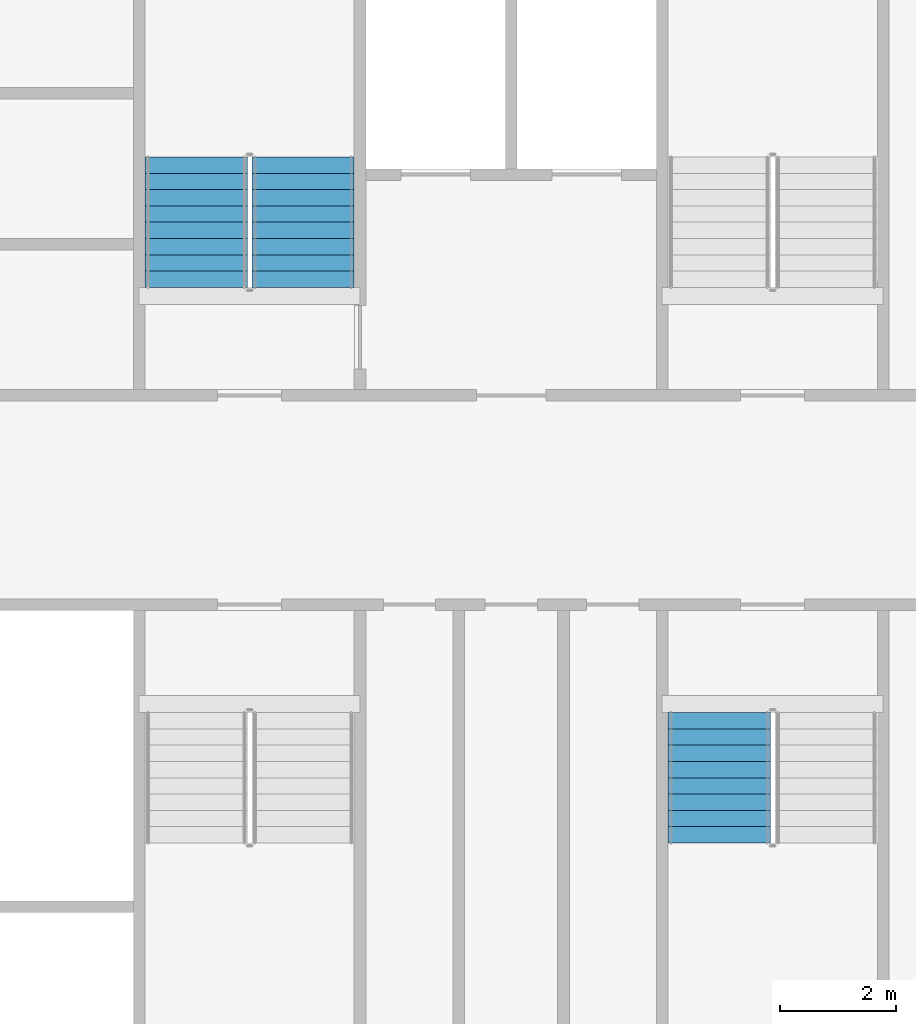
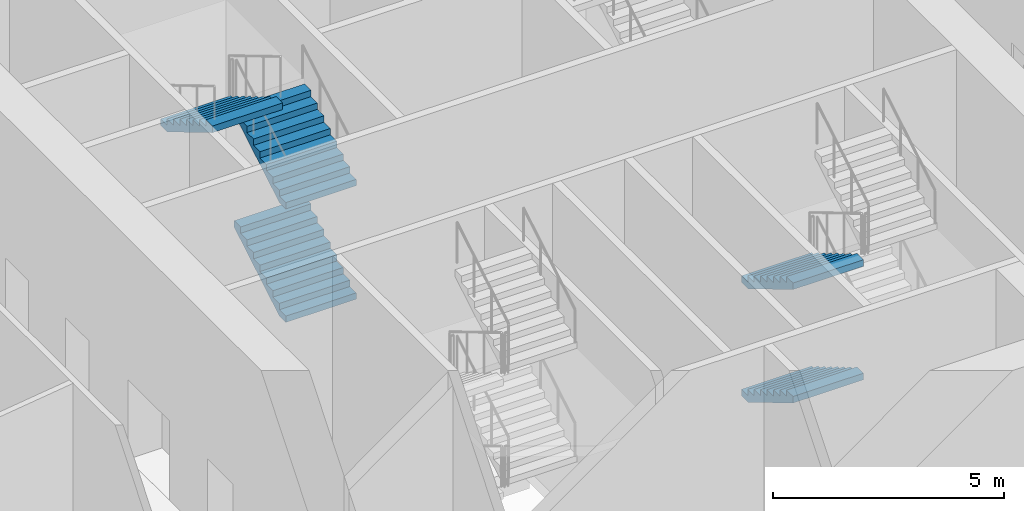
# One storey, part 31 of 39: 5 stair flights, 2 elements without a shape of their own.
"""IFC4 building model written with IfcOpenShell, lengths in metres."""

from ifc_helpers import new_model, si_unit, direction, frame, origin, place, context, subcontext, project, spatial, faceted_brep, material, type_object, element, aggregate, save


model = new_model("IFC4")

# Units and contexts
model_context = context("Model", 3, precision=1e-05, world=origin(), true_north=direction((0.0, 1.0)))
body_context = subcontext(model_context, "Body", "Model", "MODEL_VIEW")
ifc_project = project(units=[si_unit("LENGTHUNIT", "METRE"), si_unit("AREAUNIT", "SQUARE_METRE"), si_unit("VOLUMEUNIT", "CUBIC_METRE"), si_unit("PLANEANGLEUNIT", "RADIAN"), si_unit("MASSUNIT", "GRAM", prefix="KILO")], contexts=[model_context])

# Site, building, storey
site_placement = place(None, origin())
site = spatial("IfcSite", under=ifc_project, at=site_placement, CompositionType="ELEMENT")
building_placement = place(site_placement, origin())
building = spatial("IfcBuilding", under=site, at=building_placement, Name="Tarsis Ring Headquarters", CompositionType="ELEMENT")
storey_placement = place(building_placement, frame((0.0, 0.0, 86.800048828125)))
storey = spatial("IfcBuildingStorey", under=building, at=storey_placement, Name="L19", CompositionType="ELEMENT", Elevation=86.800048828125)

# Stair, stair flights
ifc_material_1 = material(Name="Core stair 1760")
stair_type = type_object("IfcStairType", Name="Core stair 1760", PredefinedType="HALF_TURN_STAIR", material=ifc_material_1)
stair_1_placement = place(storey_placement, origin())
stair_1 = element("IfcStair", 1, at=stair_1_placement, inside=storey, type_object=stair_type, Name="L19 Firefighting stair", PredefinedType="HALF_TURN_STAIR")
ifc_material_2 = material(Name="Concrete C40/50", Category="concrete")
stair_flight_type = type_object("IfcStairFlightType", Name="Core stair flight 1760", PredefinedType="STRAIGHT", material=ifc_material_2)
stair_flight_1_placement = place(storey_placement, frame((-3.580078125, 3.659912109375, 0.0), z_axis=(0.0, 0.0, 1.0), x_axis=(0.0, 1.0, 0.0)))
stair_flight_1 = element("IfcStairFlight", 2, at=stair_flight_1_placement, type_object=stair_flight_type, Name="Stair ST1 flight 1", NumberOfRisers=9, NumberOfTreads=8, PredefinedType="STRAIGHT", RiserHeight=0.166666667, TreadLength=0.28, context=body_context, shape_type="Brep", body=[
    faceted_brep([(0.0, 0.8798828125, 0.0), (0.0, 0.8798828125, 0.166748046875), (0.280029296875, 0.8798828125, 0.166748046875), (0.280029296875, 0.8798828125, 0.333251953125), (0.56005859375, 0.8798828125, 0.333251953125), (0.56005859375, 0.8798828125, 0.5), (0.840087890625, 0.8798828125, 0.5), (0.840087890625, 0.8798828125, 0.666748046875), (1.1201171875, 0.8798828125, 0.666748046875), (1.1201171875, 0.8798828125, 0.833251953125), (1.39990234375, 0.8798828125, 0.833251953125), (1.39990234375, 0.8798828125, 1.0), (1.679931640625, 0.8798828125, 1.0), (1.679931640625, 0.8798828125, 1.166748046875), (1.9599609375, 0.8798828125, 1.166748046875), (1.9599609375, 0.8798828125, 1.333251953125), (2.239990234375, 0.8798828125, 1.333251953125), (2.239990234375, 0.8798828125, 1.158935546875), (0.29296875, 0.8798828125, 0.0), (0.29296875, -0.8798828125, 0.0), (2.239990234375, -0.8798828125, 1.158935546875), (2.239990234375, -0.8798828125, 1.333251953125), (1.9599609375, -0.8798828125, 1.333251953125), (1.9599609375, -0.8798828125, 1.166748046875), (1.679931640625, -0.8798828125, 1.166748046875), (1.679931640625, -0.8798828125, 1.0), (1.39990234375, -0.8798828125, 1.0), (1.39990234375, -0.8798828125, 0.833251953125), (1.1201171875, -0.8798828125, 0.833251953125), (1.1201171875, -0.8798828125, 0.666748046875), (0.840087890625, -0.8798828125, 0.666748046875), (0.840087890625, -0.8798828125, 0.5), (0.56005859375, -0.8798828125, 0.5), (0.56005859375, -0.8798828125, 0.333251953125), (0.280029296875, -0.8798828125, 0.333251953125), (0.280029296875, -0.8798828125, 0.166748046875), (0.0, -0.8798828125, 0.166748046875), (0.0, -0.8798828125, 0.0), (0.0, -0.43994140625, 0.166748046875), (0.0, -0.43994140625, 0.0), (0.0, 0.0, 0.166748046875), (0.0, 0.0, 0.0), (0.0, 0.43994140625, 0.166748046875), (0.0, 0.43994140625, 0.0), (0.280029296875, -0.43994140625, 0.166748046875), (0.280029296875, 0.0, 0.166748046875), (0.280029296875, 0.43994140625, 0.166748046875), (0.280029296875, -0.43994140625, 0.333251953125), (0.280029296875, 0.0, 0.333251953125), (0.280029296875, 0.43994140625, 0.333251953125), (0.56005859375, -0.43994140625, 0.333251953125), (0.56005859375, 0.0, 0.333251953125), (0.56005859375, 0.43994140625, 0.333251953125), (0.56005859375, -0.43994140625, 0.5), (0.56005859375, 0.0, 0.5), (0.56005859375, 0.43994140625, 0.5), (0.840087890625, -0.43994140625, 0.5), (0.840087890625, 0.0, 0.5), (0.840087890625, 0.43994140625, 0.5), (0.840087890625, -0.43994140625, 0.666748046875), (0.840087890625, 0.0, 0.666748046875), (0.840087890625, 0.43994140625, 0.666748046875), (1.1201171875, -0.43994140625, 0.666748046875), (1.1201171875, 0.0, 0.666748046875), (1.1201171875, 0.43994140625, 0.666748046875), (1.1201171875, -0.43994140625, 0.833251953125), (1.1201171875, 0.0, 0.833251953125), (1.1201171875, 0.43994140625, 0.833251953125), (1.39990234375, -0.43994140625, 0.833251953125), (1.39990234375, 0.0, 0.833251953125), (1.39990234375, 0.43994140625, 0.833251953125), (1.39990234375, -0.43994140625, 1.0), (1.39990234375, 0.0, 1.0), (1.39990234375, 0.43994140625, 1.0), (1.679931640625, -0.43994140625, 1.0), (1.679931640625, 0.0, 1.0), (1.679931640625, 0.43994140625, 1.0), (1.679931640625, -0.43994140625, 1.166748046875), (1.679931640625, 0.0, 1.166748046875), (1.679931640625, 0.43994140625, 1.166748046875), (1.9599609375, -0.43994140625, 1.166748046875), (1.9599609375, 0.0, 1.166748046875), (1.9599609375, 0.43994140625, 1.166748046875), (1.9599609375, -0.43994140625, 1.333251953125), (1.9599609375, 0.0, 1.333251953125), (1.9599609375, 0.43994140625, 1.333251953125), (2.239990234375, -0.43994140625, 1.333251953125), (2.239990234375, 0.0, 1.333251953125), (2.239990234375, 0.43994140625, 1.333251953125), (2.239990234375, -0.43994140625, 1.158935546875), (2.239990234375, 0.0, 1.158935546875), (2.239990234375, 0.43994140625, 1.158935546875), (0.29296875, -0.43994140625, 0.0), (0.29296875, 0.0, 0.0), (0.29296875, 0.43994140625, 0.0)], [[[0, 1, 2, 3, 4, 5, 6, 7, 8, 9, 10, 11, 12, 13, 14, 15, 16, 17, 18]], [[19, 20, 21, 22, 23, 24, 25, 26, 27, 28, 29, 30, 31, 32, 33, 34, 35, 36, 37]], [[37, 36, 38, 39]], [[39, 38, 40, 41]], [[41, 40, 42, 43]], [[43, 42, 1, 0]], [[36, 35, 44, 38]], [[38, 44, 45, 40]], [[40, 45, 46, 42]], [[42, 46, 2, 1]], [[35, 34, 47, 44]], [[44, 47, 48, 45]], [[45, 48, 49, 46]], [[46, 49, 3, 2]], [[34, 33, 50, 47]], [[47, 50, 51, 48]], [[48, 51, 52, 49]], [[49, 52, 4, 3]], [[33, 32, 53, 50]], [[50, 53, 54, 51]], [[51, 54, 55, 52]], [[52, 55, 5, 4]], [[32, 31, 56, 53]], [[53, 56, 57, 54]], [[54, 57, 58, 55]], [[55, 58, 6, 5]], [[31, 30, 59, 56]], [[56, 59, 60, 57]], [[57, 60, 61, 58]], [[58, 61, 7, 6]], [[30, 29, 62, 59]], [[59, 62, 63, 60]], [[60, 63, 64, 61]], [[61, 64, 8, 7]], [[29, 28, 65, 62]], [[62, 65, 66, 63]], [[63, 66, 67, 64]], [[64, 67, 9, 8]], [[28, 27, 68, 65]], [[65, 68, 69, 66]], [[66, 69, 70, 67]], [[67, 70, 10, 9]], [[27, 26, 71, 68]], [[68, 71, 72, 69]], [[69, 72, 73, 70]], [[70, 73, 11, 10]], [[26, 25, 74, 71]], [[71, 74, 75, 72]], [[72, 75, 76, 73]], [[73, 76, 12, 11]], [[25, 24, 77, 74]], [[74, 77, 78, 75]], [[75, 78, 79, 76]], [[76, 79, 13, 12]], [[24, 23, 80, 77]], [[77, 80, 81, 78]], [[78, 81, 82, 79]], [[79, 82, 14, 13]], [[23, 22, 83, 80]], [[80, 83, 84, 81]], [[81, 84, 85, 82]], [[82, 85, 15, 14]], [[22, 21, 86, 83]], [[83, 86, 87, 84]], [[84, 87, 88, 85]], [[85, 88, 16, 15]], [[21, 20, 89, 86]], [[86, 89, 90, 87]], [[87, 90, 91, 88]], [[88, 91, 17, 16]], [[20, 19, 92, 89]], [[89, 92, 93, 90]], [[90, 93, 94, 91]], [[91, 94, 18, 17]], [[19, 37, 39, 92]], [[92, 39, 41, 93]], [[93, 41, 43, 94]], [[94, 43, 0, 18]]]),
])
stair_flight_2_placement = place(storey_placement, frame((-3.580078125, 3.659912109375, 3.0), z_axis=(0.0, 0.0, 1.0), x_axis=(0.0, 1.0, 0.0)))
stair_flight_2 = element("IfcStairFlight", 3, at=stair_flight_2_placement, type_object=stair_flight_type, Name="Stair ST1 flight 3", NumberOfRisers=9, NumberOfTreads=8, PredefinedType="STRAIGHT", RiserHeight=0.166666667, TreadLength=0.28, context=body_context, shape_type="Brep", body=[
    faceted_brep([(0.0, 0.8798828125, 0.0), (0.0, 0.8798828125, 0.166748046875), (0.280029296875, 0.8798828125, 0.166748046875), (0.280029296875, 0.8798828125, 0.333251953125), (0.56005859375, 0.8798828125, 0.333251953125), (0.56005859375, 0.8798828125, 0.5), (0.840087890625, 0.8798828125, 0.5), (0.840087890625, 0.8798828125, 0.666748046875), (1.1201171875, 0.8798828125, 0.666748046875), (1.1201171875, 0.8798828125, 0.833251953125), (1.39990234375, 0.8798828125, 0.833251953125), (1.39990234375, 0.8798828125, 1.0), (1.679931640625, 0.8798828125, 1.0), (1.679931640625, 0.8798828125, 1.166748046875), (1.9599609375, 0.8798828125, 1.166748046875), (1.9599609375, 0.8798828125, 1.333251953125), (2.239990234375, 0.8798828125, 1.333251953125), (2.239990234375, 0.8798828125, 1.158935546875), (0.29296875, 0.8798828125, 0.0), (0.29296875, -0.8798828125, 0.0), (2.239990234375, -0.8798828125, 1.158935546875), (2.239990234375, -0.8798828125, 1.333251953125), (1.9599609375, -0.8798828125, 1.333251953125), (1.9599609375, -0.8798828125, 1.166748046875), (1.679931640625, -0.8798828125, 1.166748046875), (1.679931640625, -0.8798828125, 1.0), (1.39990234375, -0.8798828125, 1.0), (1.39990234375, -0.8798828125, 0.833251953125), (1.1201171875, -0.8798828125, 0.833251953125), (1.1201171875, -0.8798828125, 0.666748046875), (0.840087890625, -0.8798828125, 0.666748046875), (0.840087890625, -0.8798828125, 0.5), (0.56005859375, -0.8798828125, 0.5), (0.56005859375, -0.8798828125, 0.333251953125), (0.280029296875, -0.8798828125, 0.333251953125), (0.280029296875, -0.8798828125, 0.166748046875), (0.0, -0.8798828125, 0.166748046875), (0.0, -0.8798828125, 0.0), (0.0, -0.43994140625, 0.166748046875), (0.0, -0.43994140625, 0.0), (0.0, 0.0, 0.166748046875), (0.0, 0.0, 0.0), (0.0, 0.43994140625, 0.166748046875), (0.0, 0.43994140625, 0.0), (0.280029296875, -0.43994140625, 0.166748046875), (0.280029296875, 0.0, 0.166748046875), (0.280029296875, 0.43994140625, 0.166748046875), (0.280029296875, -0.43994140625, 0.333251953125), (0.280029296875, 0.0, 0.333251953125), (0.280029296875, 0.43994140625, 0.333251953125), (0.56005859375, -0.43994140625, 0.333251953125), (0.56005859375, 0.0, 0.333251953125), (0.56005859375, 0.43994140625, 0.333251953125), (0.56005859375, -0.43994140625, 0.5), (0.56005859375, 0.0, 0.5), (0.56005859375, 0.43994140625, 0.5), (0.840087890625, -0.43994140625, 0.5), (0.840087890625, 0.0, 0.5), (0.840087890625, 0.43994140625, 0.5), (0.840087890625, -0.43994140625, 0.666748046875), (0.840087890625, 0.0, 0.666748046875), (0.840087890625, 0.43994140625, 0.666748046875), (1.1201171875, -0.43994140625, 0.666748046875), (1.1201171875, 0.0, 0.666748046875), (1.1201171875, 0.43994140625, 0.666748046875), (1.1201171875, -0.43994140625, 0.833251953125), (1.1201171875, 0.0, 0.833251953125), (1.1201171875, 0.43994140625, 0.833251953125), (1.39990234375, -0.43994140625, 0.833251953125), (1.39990234375, 0.0, 0.833251953125), (1.39990234375, 0.43994140625, 0.833251953125), (1.39990234375, -0.43994140625, 1.0), (1.39990234375, 0.0, 1.0), (1.39990234375, 0.43994140625, 1.0), (1.679931640625, -0.43994140625, 1.0), (1.679931640625, 0.0, 1.0), (1.679931640625, 0.43994140625, 1.0), (1.679931640625, -0.43994140625, 1.166748046875), (1.679931640625, 0.0, 1.166748046875), (1.679931640625, 0.43994140625, 1.166748046875), (1.9599609375, -0.43994140625, 1.166748046875), (1.9599609375, 0.0, 1.166748046875), (1.9599609375, 0.43994140625, 1.166748046875), (1.9599609375, -0.43994140625, 1.333251953125), (1.9599609375, 0.0, 1.333251953125), (1.9599609375, 0.43994140625, 1.333251953125), (2.239990234375, -0.43994140625, 1.333251953125), (2.239990234375, 0.0, 1.333251953125), (2.239990234375, 0.43994140625, 1.333251953125), (2.239990234375, -0.43994140625, 1.158935546875), (2.239990234375, 0.0, 1.158935546875), (2.239990234375, 0.43994140625, 1.158935546875), (0.29296875, -0.43994140625, 0.0), (0.29296875, 0.0, 0.0), (0.29296875, 0.43994140625, 0.0)], [[[0, 1, 2, 3, 4, 5, 6, 7, 8, 9, 10, 11, 12, 13, 14, 15, 16, 17, 18]], [[19, 20, 21, 22, 23, 24, 25, 26, 27, 28, 29, 30, 31, 32, 33, 34, 35, 36, 37]], [[37, 36, 38, 39]], [[39, 38, 40, 41]], [[41, 40, 42, 43]], [[43, 42, 1, 0]], [[36, 35, 44, 38]], [[38, 44, 45, 40]], [[40, 45, 46, 42]], [[42, 46, 2, 1]], [[35, 34, 47, 44]], [[44, 47, 48, 45]], [[45, 48, 49, 46]], [[46, 49, 3, 2]], [[34, 33, 50, 47]], [[47, 50, 51, 48]], [[48, 51, 52, 49]], [[49, 52, 4, 3]], [[33, 32, 53, 50]], [[50, 53, 54, 51]], [[51, 54, 55, 52]], [[52, 55, 5, 4]], [[32, 31, 56, 53]], [[53, 56, 57, 54]], [[54, 57, 58, 55]], [[55, 58, 6, 5]], [[31, 30, 59, 56]], [[56, 59, 60, 57]], [[57, 60, 61, 58]], [[58, 61, 7, 6]], [[30, 29, 62, 59]], [[59, 62, 63, 60]], [[60, 63, 64, 61]], [[61, 64, 8, 7]], [[29, 28, 65, 62]], [[62, 65, 66, 63]], [[63, 66, 67, 64]], [[64, 67, 9, 8]], [[28, 27, 68, 65]], [[65, 68, 69, 66]], [[66, 69, 70, 67]], [[67, 70, 10, 9]], [[27, 26, 71, 68]], [[68, 71, 72, 69]], [[69, 72, 73, 70]], [[70, 73, 11, 10]], [[26, 25, 74, 71]], [[71, 74, 75, 72]], [[72, 75, 76, 73]], [[73, 76, 12, 11]], [[25, 24, 77, 74]], [[74, 77, 78, 75]], [[75, 78, 79, 76]], [[76, 79, 13, 12]], [[24, 23, 80, 77]], [[77, 80, 81, 78]], [[78, 81, 82, 79]], [[79, 82, 14, 13]], [[23, 22, 83, 80]], [[80, 83, 84, 81]], [[81, 84, 85, 82]], [[82, 85, 15, 14]], [[22, 21, 86, 83]], [[83, 86, 87, 84]], [[84, 87, 88, 85]], [[85, 88, 16, 15]], [[21, 20, 89, 86]], [[86, 89, 90, 87]], [[87, 90, 91, 88]], [[88, 91, 17, 16]], [[20, 19, 92, 89]], [[89, 92, 93, 90]], [[90, 93, 94, 91]], [[91, 94, 18, 17]], [[19, 37, 39, 92]], [[92, 39, 41, 93]], [[93, 41, 43, 94]], [[94, 43, 0, 18]]]),
])
stair_flight_3_placement = place(storey_placement, frame((-5.419921875, 5.89990234375, 4.5), z_axis=(0.0, 0.0, 1.0), x_axis=(0.0, -1.0, 0.0)))
stair_flight_3 = element("IfcStairFlight", 4, at=stair_flight_3_placement, type_object=stair_flight_type, Name="Stair ST1 flight 4", NumberOfRisers=9, NumberOfTreads=8, PredefinedType="STRAIGHT", RiserHeight=0.166666667, TreadLength=0.28, context=body_context, shape_type="Brep", body=[
    faceted_brep([(0.0, 0.8798828125, 0.0), (0.0, 0.8798828125, 0.166748046875), (0.280029296875, 0.8798828125, 0.166748046875), (0.280029296875, 0.8798828125, 0.333251953125), (0.56005859375, 0.8798828125, 0.333251953125), (0.56005859375, 0.8798828125, 0.5), (0.840087890625, 0.8798828125, 0.5), (0.840087890625, 0.8798828125, 0.666748046875), (1.1201171875, 0.8798828125, 0.666748046875), (1.1201171875, 0.8798828125, 0.833251953125), (1.39990234375, 0.8798828125, 0.833251953125), (1.39990234375, 0.8798828125, 1.0), (1.679931640625, 0.8798828125, 1.0), (1.679931640625, 0.8798828125, 1.166748046875), (1.9599609375, 0.8798828125, 1.166748046875), (1.9599609375, 0.8798828125, 1.333251953125), (2.239990234375, 0.8798828125, 1.333251953125), (2.239990234375, 0.8798828125, 1.158935546875), (0.29296875, 0.8798828125, 0.0), (0.29296875, -0.8798828125, 0.0), (2.239990234375, -0.8798828125, 1.158935546875), (2.239990234375, -0.8798828125, 1.333251953125), (1.9599609375, -0.8798828125, 1.333251953125), (1.9599609375, -0.8798828125, 1.166748046875), (1.679931640625, -0.8798828125, 1.166748046875), (1.679931640625, -0.8798828125, 1.0), (1.39990234375, -0.8798828125, 1.0), (1.39990234375, -0.8798828125, 0.833251953125), (1.1201171875, -0.8798828125, 0.833251953125), (1.1201171875, -0.8798828125, 0.666748046875), (0.840087890625, -0.8798828125, 0.666748046875), (0.840087890625, -0.8798828125, 0.5), (0.56005859375, -0.8798828125, 0.5), (0.56005859375, -0.8798828125, 0.333251953125), (0.280029296875, -0.8798828125, 0.333251953125), (0.280029296875, -0.8798828125, 0.166748046875), (0.0, -0.8798828125, 0.166748046875), (0.0, -0.8798828125, 0.0), (0.0, -0.43994140625, 0.166748046875), (0.0, -0.43994140625, 0.0), (0.0, 0.0, 0.166748046875), (0.0, 0.0, 0.0), (0.0, 0.43994140625, 0.166748046875), (0.0, 0.43994140625, 0.0), (0.280029296875, -0.43994140625, 0.166748046875), (0.280029296875, 0.0, 0.166748046875), (0.280029296875, 0.43994140625, 0.166748046875), (0.280029296875, -0.43994140625, 0.333251953125), (0.280029296875, 0.0, 0.333251953125), (0.280029296875, 0.43994140625, 0.333251953125), (0.56005859375, -0.43994140625, 0.333251953125), (0.56005859375, 0.0, 0.333251953125), (0.56005859375, 0.43994140625, 0.333251953125), (0.56005859375, -0.43994140625, 0.5), (0.56005859375, 0.0, 0.5), (0.56005859375, 0.43994140625, 0.5), (0.840087890625, -0.43994140625, 0.5), (0.840087890625, 0.0, 0.5), (0.840087890625, 0.43994140625, 0.5), (0.840087890625, -0.43994140625, 0.666748046875), (0.840087890625, 0.0, 0.666748046875), (0.840087890625, 0.43994140625, 0.666748046875), (1.1201171875, -0.43994140625, 0.666748046875), (1.1201171875, 0.0, 0.666748046875), (1.1201171875, 0.43994140625, 0.666748046875), (1.1201171875, -0.43994140625, 0.833251953125), (1.1201171875, 0.0, 0.833251953125), (1.1201171875, 0.43994140625, 0.833251953125), (1.39990234375, -0.43994140625, 0.833251953125), (1.39990234375, 0.0, 0.833251953125), (1.39990234375, 0.43994140625, 0.833251953125), (1.39990234375, -0.43994140625, 1.0), (1.39990234375, 0.0, 1.0), (1.39990234375, 0.43994140625, 1.0), (1.679931640625, -0.43994140625, 1.0), (1.679931640625, 0.0, 1.0), (1.679931640625, 0.43994140625, 1.0), (1.679931640625, -0.43994140625, 1.166748046875), (1.679931640625, 0.0, 1.166748046875), (1.679931640625, 0.43994140625, 1.166748046875), (1.9599609375, -0.43994140625, 1.166748046875), (1.9599609375, 0.0, 1.166748046875), (1.9599609375, 0.43994140625, 1.166748046875), (1.9599609375, -0.43994140625, 1.333251953125), (1.9599609375, 0.0, 1.333251953125), (1.9599609375, 0.43994140625, 1.333251953125), (2.239990234375, -0.43994140625, 1.333251953125), (2.239990234375, 0.0, 1.333251953125), (2.239990234375, 0.43994140625, 1.333251953125), (2.239990234375, -0.43994140625, 1.158935546875), (2.239990234375, 0.0, 1.158935546875), (2.239990234375, 0.43994140625, 1.158935546875), (0.29296875, -0.43994140625, 0.0), (0.29296875, 0.0, 0.0), (0.29296875, 0.43994140625, 0.0)], [[[0, 1, 2, 3, 4, 5, 6, 7, 8, 9, 10, 11, 12, 13, 14, 15, 16, 17, 18]], [[19, 20, 21, 22, 23, 24, 25, 26, 27, 28, 29, 30, 31, 32, 33, 34, 35, 36, 37]], [[37, 36, 38, 39]], [[39, 38, 40, 41]], [[41, 40, 42, 43]], [[43, 42, 1, 0]], [[36, 35, 44, 38]], [[38, 44, 45, 40]], [[40, 45, 46, 42]], [[42, 46, 2, 1]], [[35, 34, 47, 44]], [[44, 47, 48, 45]], [[45, 48, 49, 46]], [[46, 49, 3, 2]], [[34, 33, 50, 47]], [[47, 50, 51, 48]], [[48, 51, 52, 49]], [[49, 52, 4, 3]], [[33, 32, 53, 50]], [[50, 53, 54, 51]], [[51, 54, 55, 52]], [[52, 55, 5, 4]], [[32, 31, 56, 53]], [[53, 56, 57, 54]], [[54, 57, 58, 55]], [[55, 58, 6, 5]], [[31, 30, 59, 56]], [[56, 59, 60, 57]], [[57, 60, 61, 58]], [[58, 61, 7, 6]], [[30, 29, 62, 59]], [[59, 62, 63, 60]], [[60, 63, 64, 61]], [[61, 64, 8, 7]], [[29, 28, 65, 62]], [[62, 65, 66, 63]], [[63, 66, 67, 64]], [[64, 67, 9, 8]], [[28, 27, 68, 65]], [[65, 68, 69, 66]], [[66, 69, 70, 67]], [[67, 70, 10, 9]], [[27, 26, 71, 68]], [[68, 71, 72, 69]], [[69, 72, 73, 70]], [[70, 73, 11, 10]], [[26, 25, 74, 71]], [[71, 74, 75, 72]], [[72, 75, 76, 73]], [[73, 76, 12, 11]], [[25, 24, 77, 74]], [[74, 77, 78, 75]], [[75, 78, 79, 76]], [[76, 79, 13, 12]], [[24, 23, 80, 77]], [[77, 80, 81, 78]], [[78, 81, 82, 79]], [[79, 82, 14, 13]], [[23, 22, 83, 80]], [[80, 83, 84, 81]], [[81, 84, 85, 82]], [[82, 85, 15, 14]], [[22, 21, 86, 83]], [[83, 86, 87, 84]], [[84, 87, 88, 85]], [[85, 88, 16, 15]], [[21, 20, 89, 86]], [[86, 89, 90, 87]], [[87, 90, 91, 88]], [[88, 91, 17, 16]], [[20, 19, 92, 89]], [[89, 92, 93, 90]], [[90, 93, 94, 91]], [[91, 94, 18, 17]], [[19, 37, 39, 92]], [[92, 39, 41, 93]], [[93, 41, 43, 94]], [[94, 43, 0, 18]]]),
])
aggregate(stair_1, [stair_flight_1, stair_flight_2, stair_flight_3])

stair_2_placement = place(storey_placement, origin())
stair_2 = element("IfcStair", 5, at=stair_2_placement, inside=storey, type_object=stair_type, Name="L19 Exit stair D", PredefinedType="HALF_TURN_STAIR")
stair_flight_4_placement = place(storey_placement, frame((3.580078125, -3.659912109375, 0.0), z_axis=(0.0, 0.0, 1.0), x_axis=(0.0, -1.0, 0.0)))
stair_flight_4 = element("IfcStairFlight", 6, at=stair_flight_4_placement, type_object=stair_flight_type, Name="Stair ST4 flight 1", NumberOfRisers=9, NumberOfTreads=8, PredefinedType="STRAIGHT", RiserHeight=0.166666667, TreadLength=0.28, context=body_context, shape_type="Brep", body=[
    faceted_brep([(0.0, 0.8798828125, 0.0), (0.0, 0.8798828125, 0.166748046875), (0.280029296875, 0.8798828125, 0.166748046875), (0.280029296875, 0.8798828125, 0.333251953125), (0.56005859375, 0.8798828125, 0.333251953125), (0.56005859375, 0.8798828125, 0.5), (0.840087890625, 0.8798828125, 0.5), (0.840087890625, 0.8798828125, 0.666748046875), (1.1201171875, 0.8798828125, 0.666748046875), (1.1201171875, 0.8798828125, 0.833251953125), (1.39990234375, 0.8798828125, 0.833251953125), (1.39990234375, 0.8798828125, 1.0), (1.679931640625, 0.8798828125, 1.0), (1.679931640625, 0.8798828125, 1.166748046875), (1.9599609375, 0.8798828125, 1.166748046875), (1.9599609375, 0.8798828125, 1.333251953125), (2.239990234375, 0.8798828125, 1.333251953125), (2.239990234375, 0.8798828125, 1.158935546875), (0.29296875, 0.8798828125, 0.0), (0.29296875, -0.8798828125, 0.0), (2.239990234375, -0.8798828125, 1.158935546875), (2.239990234375, -0.8798828125, 1.333251953125), (1.9599609375, -0.8798828125, 1.333251953125), (1.9599609375, -0.8798828125, 1.166748046875), (1.679931640625, -0.8798828125, 1.166748046875), (1.679931640625, -0.8798828125, 1.0), (1.39990234375, -0.8798828125, 1.0), (1.39990234375, -0.8798828125, 0.833251953125), (1.1201171875, -0.8798828125, 0.833251953125), (1.1201171875, -0.8798828125, 0.666748046875), (0.840087890625, -0.8798828125, 0.666748046875), (0.840087890625, -0.8798828125, 0.5), (0.56005859375, -0.8798828125, 0.5), (0.56005859375, -0.8798828125, 0.333251953125), (0.280029296875, -0.8798828125, 0.333251953125), (0.280029296875, -0.8798828125, 0.166748046875), (0.0, -0.8798828125, 0.166748046875), (0.0, -0.8798828125, 0.0), (0.0, -0.43994140625, 0.166748046875), (0.0, -0.43994140625, 0.0), (0.0, 0.0, 0.166748046875), (0.0, 0.0, 0.0), (0.0, 0.43994140625, 0.166748046875), (0.0, 0.43994140625, 0.0), (0.280029296875, -0.43994140625, 0.166748046875), (0.280029296875, 0.0, 0.166748046875), (0.280029296875, 0.43994140625, 0.166748046875), (0.280029296875, -0.43994140625, 0.333251953125), (0.280029296875, 0.0, 0.333251953125), (0.280029296875, 0.43994140625, 0.333251953125), (0.56005859375, -0.43994140625, 0.333251953125), (0.56005859375, 0.0, 0.333251953125), (0.56005859375, 0.43994140625, 0.333251953125), (0.56005859375, -0.43994140625, 0.5), (0.56005859375, 0.0, 0.5), (0.56005859375, 0.43994140625, 0.5), (0.840087890625, -0.43994140625, 0.5), (0.840087890625, 0.0, 0.5), (0.840087890625, 0.43994140625, 0.5), (0.840087890625, -0.43994140625, 0.666748046875), (0.840087890625, 0.0, 0.666748046875), (0.840087890625, 0.43994140625, 0.666748046875), (1.1201171875, -0.43994140625, 0.666748046875), (1.1201171875, 0.0, 0.666748046875), (1.1201171875, 0.43994140625, 0.666748046875), (1.1201171875, -0.43994140625, 0.833251953125), (1.1201171875, 0.0, 0.833251953125), (1.1201171875, 0.43994140625, 0.833251953125), (1.39990234375, -0.43994140625, 0.833251953125), (1.39990234375, 0.0, 0.833251953125), (1.39990234375, 0.43994140625, 0.833251953125), (1.39990234375, -0.43994140625, 1.0), (1.39990234375, 0.0, 1.0), (1.39990234375, 0.43994140625, 1.0), (1.679931640625, -0.43994140625, 1.0), (1.679931640625, 0.0, 1.0), (1.679931640625, 0.43994140625, 1.0), (1.679931640625, -0.43994140625, 1.166748046875), (1.679931640625, 0.0, 1.166748046875), (1.679931640625, 0.43994140625, 1.166748046875), (1.9599609375, -0.43994140625, 1.166748046875), (1.9599609375, 0.0, 1.166748046875), (1.9599609375, 0.43994140625, 1.166748046875), (1.9599609375, -0.43994140625, 1.333251953125), (1.9599609375, 0.0, 1.333251953125), (1.9599609375, 0.43994140625, 1.333251953125), (2.239990234375, -0.43994140625, 1.333251953125), (2.239990234375, 0.0, 1.333251953125), (2.239990234375, 0.43994140625, 1.333251953125), (2.239990234375, -0.43994140625, 1.158935546875), (2.239990234375, 0.0, 1.158935546875), (2.239990234375, 0.43994140625, 1.158935546875), (0.29296875, -0.43994140625, 0.0), (0.29296875, 0.0, 0.0), (0.29296875, 0.43994140625, 0.0)], [[[0, 1, 2, 3, 4, 5, 6, 7, 8, 9, 10, 11, 12, 13, 14, 15, 16, 17, 18]], [[19, 20, 21, 22, 23, 24, 25, 26, 27, 28, 29, 30, 31, 32, 33, 34, 35, 36, 37]], [[37, 36, 38, 39]], [[39, 38, 40, 41]], [[41, 40, 42, 43]], [[43, 42, 1, 0]], [[36, 35, 44, 38]], [[38, 44, 45, 40]], [[40, 45, 46, 42]], [[42, 46, 2, 1]], [[35, 34, 47, 44]], [[44, 47, 48, 45]], [[45, 48, 49, 46]], [[46, 49, 3, 2]], [[34, 33, 50, 47]], [[47, 50, 51, 48]], [[48, 51, 52, 49]], [[49, 52, 4, 3]], [[33, 32, 53, 50]], [[50, 53, 54, 51]], [[51, 54, 55, 52]], [[52, 55, 5, 4]], [[32, 31, 56, 53]], [[53, 56, 57, 54]], [[54, 57, 58, 55]], [[55, 58, 6, 5]], [[31, 30, 59, 56]], [[56, 59, 60, 57]], [[57, 60, 61, 58]], [[58, 61, 7, 6]], [[30, 29, 62, 59]], [[59, 62, 63, 60]], [[60, 63, 64, 61]], [[61, 64, 8, 7]], [[29, 28, 65, 62]], [[62, 65, 66, 63]], [[63, 66, 67, 64]], [[64, 67, 9, 8]], [[28, 27, 68, 65]], [[65, 68, 69, 66]], [[66, 69, 70, 67]], [[67, 70, 10, 9]], [[27, 26, 71, 68]], [[68, 71, 72, 69]], [[69, 72, 73, 70]], [[70, 73, 11, 10]], [[26, 25, 74, 71]], [[71, 74, 75, 72]], [[72, 75, 76, 73]], [[73, 76, 12, 11]], [[25, 24, 77, 74]], [[74, 77, 78, 75]], [[75, 78, 79, 76]], [[76, 79, 13, 12]], [[24, 23, 80, 77]], [[77, 80, 81, 78]], [[78, 81, 82, 79]], [[79, 82, 14, 13]], [[23, 22, 83, 80]], [[80, 83, 84, 81]], [[81, 84, 85, 82]], [[82, 85, 15, 14]], [[22, 21, 86, 83]], [[83, 86, 87, 84]], [[84, 87, 88, 85]], [[85, 88, 16, 15]], [[21, 20, 89, 86]], [[86, 89, 90, 87]], [[87, 90, 91, 88]], [[88, 91, 17, 16]], [[20, 19, 92, 89]], [[89, 92, 93, 90]], [[90, 93, 94, 91]], [[91, 94, 18, 17]], [[19, 37, 39, 92]], [[92, 39, 41, 93]], [[93, 41, 43, 94]], [[94, 43, 0, 18]]]),
])
stair_flight_5_placement = place(storey_placement, frame((3.580078125, -3.659912109375, 3.0), z_axis=(0.0, 0.0, 1.0), x_axis=(0.0, -1.0, 0.0)))
stair_flight_5 = element("IfcStairFlight", 7, at=stair_flight_5_placement, type_object=stair_flight_type, Name="Stair ST4 flight 3", NumberOfRisers=9, NumberOfTreads=8, PredefinedType="STRAIGHT", RiserHeight=0.166666667, TreadLength=0.28, context=body_context, shape_type="Brep", body=[
    faceted_brep([(0.0, 0.8798828125, 0.0), (0.0, 0.8798828125, 0.166748046875), (0.280029296875, 0.8798828125, 0.166748046875), (0.280029296875, 0.8798828125, 0.333251953125), (0.56005859375, 0.8798828125, 0.333251953125), (0.56005859375, 0.8798828125, 0.5), (0.840087890625, 0.8798828125, 0.5), (0.840087890625, 0.8798828125, 0.666748046875), (1.1201171875, 0.8798828125, 0.666748046875), (1.1201171875, 0.8798828125, 0.833251953125), (1.39990234375, 0.8798828125, 0.833251953125), (1.39990234375, 0.8798828125, 1.0), (1.679931640625, 0.8798828125, 1.0), (1.679931640625, 0.8798828125, 1.166748046875), (1.9599609375, 0.8798828125, 1.166748046875), (1.9599609375, 0.8798828125, 1.333251953125), (2.239990234375, 0.8798828125, 1.333251953125), (2.239990234375, 0.8798828125, 1.158935546875), (0.29296875, 0.8798828125, 0.0), (0.29296875, -0.8798828125, 0.0), (2.239990234375, -0.8798828125, 1.158935546875), (2.239990234375, -0.8798828125, 1.333251953125), (1.9599609375, -0.8798828125, 1.333251953125), (1.9599609375, -0.8798828125, 1.166748046875), (1.679931640625, -0.8798828125, 1.166748046875), (1.679931640625, -0.8798828125, 1.0), (1.39990234375, -0.8798828125, 1.0), (1.39990234375, -0.8798828125, 0.833251953125), (1.1201171875, -0.8798828125, 0.833251953125), (1.1201171875, -0.8798828125, 0.666748046875), (0.840087890625, -0.8798828125, 0.666748046875), (0.840087890625, -0.8798828125, 0.5), (0.56005859375, -0.8798828125, 0.5), (0.56005859375, -0.8798828125, 0.333251953125), (0.280029296875, -0.8798828125, 0.333251953125), (0.280029296875, -0.8798828125, 0.166748046875), (0.0, -0.8798828125, 0.166748046875), (0.0, -0.8798828125, 0.0), (0.0, -0.43994140625, 0.166748046875), (0.0, -0.43994140625, 0.0), (0.0, 0.0, 0.166748046875), (0.0, 0.0, 0.0), (0.0, 0.43994140625, 0.166748046875), (0.0, 0.43994140625, 0.0), (0.280029296875, -0.43994140625, 0.166748046875), (0.280029296875, 0.0, 0.166748046875), (0.280029296875, 0.43994140625, 0.166748046875), (0.280029296875, -0.43994140625, 0.333251953125), (0.280029296875, 0.0, 0.333251953125), (0.280029296875, 0.43994140625, 0.333251953125), (0.56005859375, -0.43994140625, 0.333251953125), (0.56005859375, 0.0, 0.333251953125), (0.56005859375, 0.43994140625, 0.333251953125), (0.56005859375, -0.43994140625, 0.5), (0.56005859375, 0.0, 0.5), (0.56005859375, 0.43994140625, 0.5), (0.840087890625, -0.43994140625, 0.5), (0.840087890625, 0.0, 0.5), (0.840087890625, 0.43994140625, 0.5), (0.840087890625, -0.43994140625, 0.666748046875), (0.840087890625, 0.0, 0.666748046875), (0.840087890625, 0.43994140625, 0.666748046875), (1.1201171875, -0.43994140625, 0.666748046875), (1.1201171875, 0.0, 0.666748046875), (1.1201171875, 0.43994140625, 0.666748046875), (1.1201171875, -0.43994140625, 0.833251953125), (1.1201171875, 0.0, 0.833251953125), (1.1201171875, 0.43994140625, 0.833251953125), (1.39990234375, -0.43994140625, 0.833251953125), (1.39990234375, 0.0, 0.833251953125), (1.39990234375, 0.43994140625, 0.833251953125), (1.39990234375, -0.43994140625, 1.0), (1.39990234375, 0.0, 1.0), (1.39990234375, 0.43994140625, 1.0), (1.679931640625, -0.43994140625, 1.0), (1.679931640625, 0.0, 1.0), (1.679931640625, 0.43994140625, 1.0), (1.679931640625, -0.43994140625, 1.166748046875), (1.679931640625, 0.0, 1.166748046875), (1.679931640625, 0.43994140625, 1.166748046875), (1.9599609375, -0.43994140625, 1.166748046875), (1.9599609375, 0.0, 1.166748046875), (1.9599609375, 0.43994140625, 1.166748046875), (1.9599609375, -0.43994140625, 1.333251953125), (1.9599609375, 0.0, 1.333251953125), (1.9599609375, 0.43994140625, 1.333251953125), (2.239990234375, -0.43994140625, 1.333251953125), (2.239990234375, 0.0, 1.333251953125), (2.239990234375, 0.43994140625, 1.333251953125), (2.239990234375, -0.43994140625, 1.158935546875), (2.239990234375, 0.0, 1.158935546875), (2.239990234375, 0.43994140625, 1.158935546875), (0.29296875, -0.43994140625, 0.0), (0.29296875, 0.0, 0.0), (0.29296875, 0.43994140625, 0.0)], [[[0, 1, 2, 3, 4, 5, 6, 7, 8, 9, 10, 11, 12, 13, 14, 15, 16, 17, 18]], [[19, 20, 21, 22, 23, 24, 25, 26, 27, 28, 29, 30, 31, 32, 33, 34, 35, 36, 37]], [[37, 36, 38, 39]], [[39, 38, 40, 41]], [[41, 40, 42, 43]], [[43, 42, 1, 0]], [[36, 35, 44, 38]], [[38, 44, 45, 40]], [[40, 45, 46, 42]], [[42, 46, 2, 1]], [[35, 34, 47, 44]], [[44, 47, 48, 45]], [[45, 48, 49, 46]], [[46, 49, 3, 2]], [[34, 33, 50, 47]], [[47, 50, 51, 48]], [[48, 51, 52, 49]], [[49, 52, 4, 3]], [[33, 32, 53, 50]], [[50, 53, 54, 51]], [[51, 54, 55, 52]], [[52, 55, 5, 4]], [[32, 31, 56, 53]], [[53, 56, 57, 54]], [[54, 57, 58, 55]], [[55, 58, 6, 5]], [[31, 30, 59, 56]], [[56, 59, 60, 57]], [[57, 60, 61, 58]], [[58, 61, 7, 6]], [[30, 29, 62, 59]], [[59, 62, 63, 60]], [[60, 63, 64, 61]], [[61, 64, 8, 7]], [[29, 28, 65, 62]], [[62, 65, 66, 63]], [[63, 66, 67, 64]], [[64, 67, 9, 8]], [[28, 27, 68, 65]], [[65, 68, 69, 66]], [[66, 69, 70, 67]], [[67, 70, 10, 9]], [[27, 26, 71, 68]], [[68, 71, 72, 69]], [[69, 72, 73, 70]], [[70, 73, 11, 10]], [[26, 25, 74, 71]], [[71, 74, 75, 72]], [[72, 75, 76, 73]], [[73, 76, 12, 11]], [[25, 24, 77, 74]], [[74, 77, 78, 75]], [[75, 78, 79, 76]], [[76, 79, 13, 12]], [[24, 23, 80, 77]], [[77, 80, 81, 78]], [[78, 81, 82, 79]], [[79, 82, 14, 13]], [[23, 22, 83, 80]], [[80, 83, 84, 81]], [[81, 84, 85, 82]], [[82, 85, 15, 14]], [[22, 21, 86, 83]], [[83, 86, 87, 84]], [[84, 87, 88, 85]], [[85, 88, 16, 15]], [[21, 20, 89, 86]], [[86, 89, 90, 87]], [[87, 90, 91, 88]], [[88, 91, 17, 16]], [[20, 19, 92, 89]], [[89, 92, 93, 90]], [[90, 93, 94, 91]], [[91, 94, 18, 17]], [[19, 37, 39, 92]], [[92, 39, 41, 93]], [[93, 41, 43, 94]], [[94, 43, 0, 18]]]),
])
aggregate(stair_2, [stair_flight_4, stair_flight_5])

save(model, "model.ifc")
